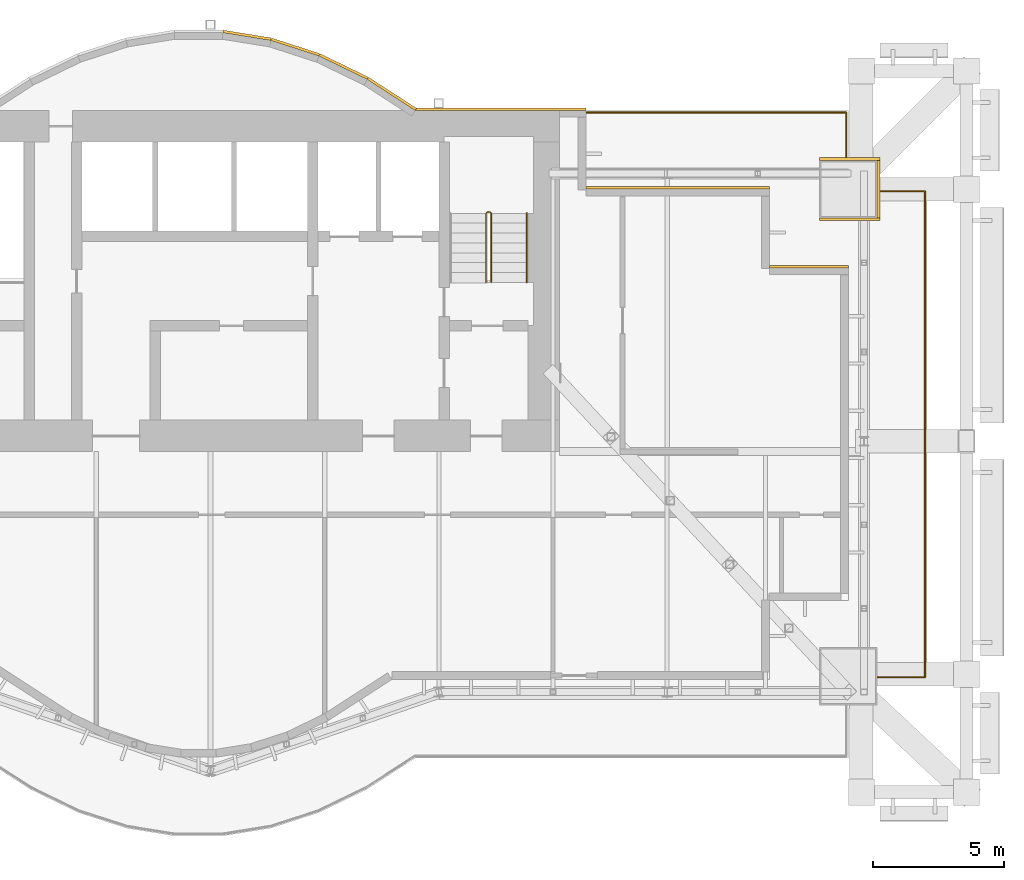
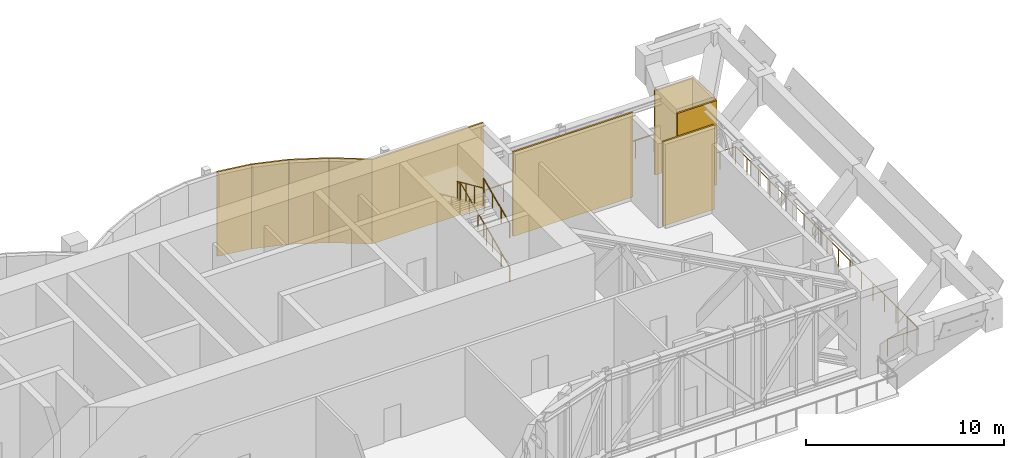
# One storey, part 20 of 20: 10 coverings, 5 railings.
"""IFC4 building model written with IfcOpenShell, lengths in metres."""

from ifc_helpers import new_model, si_unit, direction, frame, origin, origin_2d, place, context, subcontext, project, spatial, rectangle, circle, extrude, material, layer, layer_set, type_object, element, save


model = new_model("IFC4")

# Units and contexts
model_context = context("Model", 3, precision=1e-05, world=origin(), true_north=direction((0.0, 1.0)))
body_context = subcontext(model_context, "Body", "Model", "MODEL_VIEW")
ifc_project = project(units=[si_unit("LENGTHUNIT", "METRE"), si_unit("AREAUNIT", "SQUARE_METRE"), si_unit("VOLUMEUNIT", "CUBIC_METRE"), si_unit("PLANEANGLEUNIT", "RADIAN"), si_unit("MASSUNIT", "GRAM", prefix="KILO")], contexts=[model_context])

# Site, building, storey
site_placement = place(None, origin())
site = spatial("IfcSite", under=ifc_project, at=site_placement, CompositionType="ELEMENT")
building_placement = place(site_placement, origin())
building = spatial("IfcBuilding", under=site, at=building_placement, Name="Bicima Exchange Tower", CompositionType="ELEMENT")
storey_placement = place(building_placement, frame((0.0, 0.0, 342.5)))
storey = spatial("IfcBuildingStorey", under=building, at=storey_placement, Name="L77", CompositionType="ELEMENT", Elevation=342.5)

# Coverings
ifc_material_1 = material(Name="Bronze metal cladding")
ifc_layer_1 = layer(ifc_material_1, 0.004)
ifc_material_2 = material(Name="Ventilated cavity")
ifc_layer_2 = layer(ifc_material_2, 0.06)
ifc_material_3 = material(Name="Galvanised steel rail and mineral wool", Category="steel")
ifc_layer_3 = layer(ifc_material_3, 0.036)
ifc_layer_set = layer_set([ifc_layer_1, ifc_layer_2, ifc_layer_3], Name="Ventilated cavity")
covering_type = type_object("IfcCoveringType", Name="Bronze metal cladding panel 100", PredefinedType="CLADDING", material=ifc_layer_set)
covering_1_placement = place(storey_placement, frame((31.5, -5.949951171875, 0.0), z_axis=(0.0, 0.0, 1.0), x_axis=(-1.0, 0.0, 0.0)))
element("IfcCovering", 1, at=covering_1_placement, inside=storey, type_object=covering_type, Name="Bronze cladding L77 2.1", PredefinedType="CLADDING", context=body_context, shape_type="SweptSolid", body=[
    extrude(rectangle(XDim=3.0, YDim=0.10009765625, at=origin_2d()), origin(), (0.0, 0.0, 1.0), 5.199951171875),
])
covering_2_placement = place(storey_placement, frame((26.5, -2.949951171875, 0.0), z_axis=(0.0, 0.0, 1.0), x_axis=(-1.0, 0.0, 0.0)))
element("IfcCovering", 2, at=covering_2_placement, inside=storey, type_object=covering_type, Name="Bronze cladding L77 4.1", PredefinedType="CLADDING", context=body_context, shape_type="SweptSolid", body=[
    extrude(rectangle(XDim=7.0, YDim=0.10009765625, at=origin_2d()), origin(), (0.0, 0.0, 1.0), 5.199951171875),
])
covering_3_placement = place(storey_placement, frame((19.75, 0.050048828125, 0.0), z_axis=(0.0, 0.0, 1.0), x_axis=(-1.0, 0.0, 0.0)))
element("IfcCovering", 3, at=covering_3_placement, inside=storey, type_object=covering_type, Name="Bronze cladding L77 6.1", PredefinedType="CLADDING", context=body_context, shape_type="SweptSolid", body=[
    extrude(rectangle(XDim=6.5, YDim=0.10009765625, at=origin_2d()), origin(), (0.0, 0.0, 1.0), 5.199951171875),
])
covering_4_placement = place(storey_placement, frame((15.610595703125, 0.634521484375, 0.0), z_axis=(0.0, 0.0, 1.0), x_axis=(-0.839790466384, 0.542910648791, 0.0)))
element("IfcCovering", 4, at=covering_4_placement, inside=storey, type_object=covering_type, Name="Bronze cladding L77 7.1", PredefinedType="CLADDING", context=body_context, shape_type="SweptSolid", body=[
    extrude(rectangle(XDim=2.18310546875, YDim=0.10009765625, at=origin_2d()), origin(), (0.0, 0.0, 1.0), 5.199951171875),
])
covering_5_placement = place(storey_placement, frame((13.771728515625, 1.674560546875, 0.0), z_axis=(0.0, 0.0, 1.0), x_axis=(-0.899818346812, 0.436264762204, 0.0)))
element("IfcCovering", 5, at=covering_5_placement, inside=storey, type_object=covering_type, Name="Bronze cladding L77 8.1", PredefinedType="CLADDING", context=body_context, shape_type="SweptSolid", body=[
    extrude(rectangle(XDim=2.03759765625, YDim=0.10009765625, at=origin_2d()), origin(), (0.0, 0.0, 1.0), 5.199951171875),
])
covering_6_placement = place(storey_placement, frame((11.931884765625, 2.41796875, 0.0), z_axis=(0.0, 0.0, 1.0), x_axis=(-0.951524642381, 0.307572519808, 0.0)))
element("IfcCovering", 6, at=covering_6_placement, inside=storey, type_object=covering_type, Name="Bronze cladding L77 9.1", PredefinedType="CLADDING", context=body_context, shape_type="SweptSolid", body=[
    extrude(rectangle(XDim=1.9267578125, YDim=0.10009765625, at=origin_2d()), origin(), (0.0, 0.0, 1.0), 5.199951171875),
])
covering_7_placement = place(storey_placement, frame((10.09130859375, 2.8642578125, 0.0), z_axis=(0.0, 0.0, 1.0), x_axis=(-0.987189786347, 0.159550386184, 0.0)))
element("IfcCovering", 7, at=covering_7_placement, inside=storey, type_object=covering_type, Name="Bronze cladding L77 10.1", PredefinedType="CLADDING", context=body_context, shape_type="SweptSolid", body=[
    extrude(rectangle(XDim=1.857177734375, YDim=0.10009765625, at=origin_2d()), origin(), (0.0, 0.0, 1.0), 5.199951171875),
])
for number, where, z_axis, x_axis, name in (
    (8, (33.050048828125, -1.85009765625, 0.0), (0.0, 0.0, 1.0), (1.0, 0.0, 0.0), "Column cladding L77 2N"),
    (9, (33.050048828125, -4.14990234375, 0.0), (0.0, 0.0, 1.0), (1.0, 0.0, 0.0), "Column cladding L77 2S"),
):
    element("IfcCovering", number, at=place(storey_placement, frame(where, z_axis=z_axis, x_axis=x_axis)), inside=storey, type_object=covering_type, Name=name, PredefinedType="CLADDING", context=body_context, shape_type="SweptSolid", body=[
        extrude(rectangle(XDim=2.300048828125, YDim=0.10009765625, at=origin_2d()), origin(), (0.0, 0.0, 1.0), 5.199951171875),
    ])
covering_8_placement = place(storey_placement, frame((34.14990234375, -3.0, 0.0), z_axis=(0.0, 0.0, 1.0), x_axis=(1.0, 0.0, 0.0)))
element("IfcCovering", 10, at=covering_8_placement, inside=storey, type_object=covering_type, Name="Column cladding L77 2O", PredefinedType="CLADDING", context=body_context, shape_type="SweptSolid", body=[
    extrude(rectangle(XDim=0.10009765625, YDim=2.199951171875, at=origin_2d()), origin(), (0.0, 0.0, 1.0), 5.199951171875),
])

# Railings
ifc_material_4 = material(Name="Stainless steel", Category="steel")
railing_type_1 = type_object("IfcRailingType", Name="Stair guard 1100", PredefinedType="GUARDRAIL", material=ifc_material_4)
railing_1_placement = place(storey_placement, frame((19.39990234375, -6.550048828125, 2.86865234375)))
element("IfcRailing", 11, at=railing_1_placement, inside=storey, type_object=railing_type_1, Name="L77 ST-E stair guard 2", PredefinedType="GUARDRAIL", context=body_context, shape_type="SweptSolid", body=[
    extrude(circle(Radius=0.02392578125, at=origin_2d()), frame((0.0, 0.0, 1.076171875), z_axis=(0.0, 0.912201722539, 0.409741403079), x_axis=(-1.0, 0.0, 0.0)), (0.0, 0.0, 1.0), 2.88330078125),
    extrude(circle(Radius=0.02392578125, at=origin_2d()), frame((0.0, 2.630126953125, 2.25732421875), z_axis=(-0.707106781187, 0.707106781187, 0.0), x_axis=(-0.707106781187, -0.707106781187, 0.0)), (0.0, 0.0, 1.0), 0.0703125),
    extrude(circle(Radius=0.02392578125, at=origin_2d()), frame((-0.0498046875, 2.679931640625, 2.25732421875), z_axis=(-1.0, 0.0, 0.0), x_axis=(0.0, -1.0, 0.0)), (0.0, 0.0, 1.0), 0.10009765625),
    extrude(circle(Radius=0.02392578125, at=origin_2d()), frame((-0.14990234375, 2.679931640625, 2.25732421875), z_axis=(-0.273668752699, -0.272333783174, 0.922463942026), x_axis=(0.705375805398, -0.708833529934, 0.0)), (0.0, 0.0, 1.0), 0.182861328125),
    extrude(circle(Radius=0.02392578125, at=origin_2d()), frame((-0.199951171875, 2.630126953125, 2.42626953125), z_axis=(0.0, -0.912233369549, 0.409670940488), x_axis=(1.0, 0.0, 0.0)), (0.0, 0.0, 1.0), 2.883056640625),
    extrude(circle(Radius=0.02099609375, at=origin_2d()), origin(), (0.0, 0.0, 1.0), 1.052001953125),
    extrude(circle(Radius=0.02099609375, at=origin_2d()), frame((0.0, 0.876708984375, 0.393798828125)), (0.0, 0.0, 1.0), 1.052001953125),
    extrude(circle(Radius=0.02099609375, at=origin_2d()), frame((0.0, 1.75341796875, 0.78759765625)), (0.0, 0.0, 1.0), 1.052001953125),
    extrude(circle(Radius=0.02099609375, at=origin_2d()), frame((0.0, 2.630126953125, 1.181396484375)), (0.0, 0.0, 1.0), 1.052001953125),
    extrude(circle(Radius=0.02099609375, at=origin_2d()), frame((-0.0498046875, 2.679931640625, 1.181396484375)), (0.0, 0.0, 1.0), 1.052001953125),
    extrude(circle(Radius=0.02099609375, at=origin_2d()), frame((-0.14990234375, 2.679931640625, 1.181396484375)), (0.0, 0.0, 1.0), 1.052001953125),
    extrude(circle(Radius=0.02099609375, at=origin_2d()), frame((-0.199951171875, 2.630126953125, 1.35009765625)), (0.0, 0.0, 1.0), 1.052001953125),
    extrude(circle(Radius=0.02099609375, at=origin_2d()), frame((-0.199951171875, 1.75341796875, 1.743896484375)), (0.0, 0.0, 1.0), 1.052001953125),
    extrude(circle(Radius=0.02099609375, at=origin_2d()), frame((-0.199951171875, 0.876708984375, 2.137451171875)), (0.0, 0.0, 1.0), 1.052001953125),
    extrude(circle(Radius=0.02099609375, at=origin_2d()), frame((-0.199951171875, 0.0, 2.53125)), (0.0, 0.0, 1.0), 1.052001953125),
])
railing_type_2 = type_object("IfcRailingType", Name="Stair handrail 900", PredefinedType="HANDRAIL", material=ifc_material_4)
for number, where, name in (
    (12, (20.75, -6.550048828125, 0.168701171875), "L77 ST-E stair handrail 1"),
    (13, (20.75, -6.550048828125, 2.86865234375), "L77 ST-E stair handrail 3"),
):
    element("IfcRailing", number, at=place(storey_placement, frame(where)), inside=storey, type_object=railing_type_2, Name=name, PredefinedType="HANDRAIL", context=body_context, shape_type="SweptSolid", body=[
        extrude(circle(Radius=0.02392578125, at=origin_2d()), frame((0.0, 0.0, 0.8759765625), z_axis=(0.0, 0.912201722539, 0.409741403079), x_axis=(-1.0, 0.0, 0.0)), (0.0, 0.0, 1.0), 2.88330078125),
        extrude(circle(Radius=0.02099609375, at=origin_2d()), origin(), (0.0, 0.0, 1.0), 0.851806640625),
        extrude(circle(Radius=0.02099609375, at=origin_2d()), frame((0.0, 0.876708984375, 0.393798828125)), (0.0, 0.0, 1.0), 0.851806640625),
        extrude(circle(Radius=0.02099609375, at=origin_2d()), frame((0.0, 1.75341796875, 0.78759765625)), (0.0, 0.0, 1.0), 0.851806640625),
        extrude(circle(Radius=0.02099609375, at=origin_2d()), frame((0.0, 2.630126953125, 1.181396484375)), (0.0, 0.0, 1.0), 0.851806640625),
    ])
ifc_material_5 = material(Name="Stainless steel and bonded safety glass", Category="steel")
railing_type_3 = type_object("IfcRailingType", Name="Terrace guard 1100", PredefinedType="GUARDRAIL", material=ifc_material_5)
railing_2_placement = place(storey_placement, frame((23.02001953125, -0.080078125, 0.0)))
element("IfcRailing", 14, at=railing_2_placement, inside=storey, type_object=railing_type_3, Name="Terrace guard L77 3", PredefinedType="GUARDRAIL", context=body_context, shape_type="SweptSolid", body=[
    extrude(circle(Radius=0.02392578125, at=origin_2d()), frame((0.0, 0.0, 1.076171875), z_axis=(1.0, 0.0, 0.0), x_axis=(0.0, 1.0, 0.0)), (0.0, 0.0, 1.0), 9.89990234375),
    extrude(circle(Radius=0.02392578125, at=origin_2d()), frame((9.89990234375, 0.0, 1.076171875), z_axis=(0.0, -1.0, 0.0), x_axis=(1.0, 0.0, 0.0)), (0.0, 0.0, 1.0), 1.81982421875),
    extrude(circle(Radius=0.02099609375, at=origin_2d()), origin(), (0.0, 0.0, 1.0), 1.052001953125),
    extrude(circle(Radius=0.02099609375, at=origin_2d()), frame((1.10009765625, 0.0, 0.0)), (0.0, 0.0, 1.0), 1.052001953125),
    extrude(circle(Radius=0.02099609375, at=origin_2d()), frame((2.199951171875, 0.0, 0.0)), (0.0, 0.0, 1.0), 1.052001953125),
    extrude(circle(Radius=0.02099609375, at=origin_2d()), frame((3.300048828125, 0.0, 0.0)), (0.0, 0.0, 1.0), 1.052001953125),
    extrude(circle(Radius=0.02099609375, at=origin_2d()), frame((4.39990234375, 0.0, 0.0)), (0.0, 0.0, 1.0), 1.052001953125),
    extrude(circle(Radius=0.02099609375, at=origin_2d()), frame((5.5, 0.0, 0.0)), (0.0, 0.0, 1.0), 1.052001953125),
    extrude(circle(Radius=0.02099609375, at=origin_2d()), frame((6.599853515625, 0.0, 0.0)), (0.0, 0.0, 1.0), 1.052001953125),
    extrude(circle(Radius=0.02099609375, at=origin_2d()), frame((7.699951171875, 0.0, 0.0)), (0.0, 0.0, 1.0), 1.052001953125),
    extrude(circle(Radius=0.02099609375, at=origin_2d()), frame((8.7998046875, 0.0, 0.0)), (0.0, 0.0, 1.0), 1.052001953125),
    extrude(circle(Radius=0.02099609375, at=origin_2d()), frame((9.89990234375, 0.0, 0.0)), (0.0, 0.0, 1.0), 1.052001953125),
    extrude(circle(Radius=0.02099609375, at=origin_2d()), frame((9.89990234375, -0.909912109375, 0.0)), (0.0, 0.0, 1.0), 1.052001953125),
    extrude(circle(Radius=0.02099609375, at=origin_2d()), frame((9.89990234375, -1.81982421875, 0.0)), (0.0, 0.0, 1.0), 1.052001953125),
])
railing_3_placement = place(storey_placement, frame((34.10009765625, -3.080078125, 0.0)))
element("IfcRailing", 15, at=railing_3_placement, inside=storey, type_object=railing_type_3, Name="Terrace guard L77 4", PredefinedType="GUARDRAIL", context=body_context, shape_type="SweptSolid", body=[
    extrude(circle(Radius=0.02392578125, at=origin_2d()), frame((0.0, 0.0, 1.076171875), z_axis=(1.0, 0.0, 0.0), x_axis=(0.0, 1.0, 0.0)), (0.0, 0.0, 1.0), 1.81982421875),
    extrude(circle(Radius=0.02392578125, at=origin_2d()), frame((1.81982421875, 0.0, 1.076171875), z_axis=(0.0, -1.0, 0.0), x_axis=(1.0, 0.0, 0.0)), (0.0, 0.0, 1.0), 18.515869140625),
    extrude(circle(Radius=0.02392578125, at=origin_2d()), frame((1.81982421875, -18.515869140625, 1.076171875), z_axis=(-1.0, 0.0, 0.0), x_axis=(0.0, -1.0, 0.0)), (0.0, 0.0, 1.0), 1.81982421875),
    extrude(circle(Radius=0.02099609375, at=origin_2d()), origin(), (0.0, 0.0, 1.0), 1.052001953125),
    extrude(circle(Radius=0.02099609375, at=origin_2d()), frame((0.909912109375, 0.0, 0.0)), (0.0, 0.0, 1.0), 1.052001953125),
    extrude(circle(Radius=0.02099609375, at=origin_2d()), frame((1.81982421875, 0.0, 0.0)), (0.0, 0.0, 1.0), 1.052001953125),
    extrude(circle(Radius=0.02099609375, at=origin_2d()), frame((1.81982421875, -1.1572265625, 0.0)), (0.0, 0.0, 1.0), 1.052001953125),
    extrude(circle(Radius=0.02099609375, at=origin_2d()), frame((1.81982421875, -2.314453125, 0.0)), (0.0, 0.0, 1.0), 1.052001953125),
    extrude(circle(Radius=0.02099609375, at=origin_2d()), frame((1.81982421875, -3.4716796875, 0.0)), (0.0, 0.0, 1.0), 1.052001953125),
    extrude(circle(Radius=0.02099609375, at=origin_2d()), frame((1.81982421875, -4.62890625, 0.0)), (0.0, 0.0, 1.0), 1.052001953125),
    extrude(circle(Radius=0.02099609375, at=origin_2d()), frame((1.81982421875, -5.7861328125, 0.0)), (0.0, 0.0, 1.0), 1.052001953125),
    extrude(circle(Radius=0.02099609375, at=origin_2d()), frame((1.81982421875, -6.943359375, 0.0)), (0.0, 0.0, 1.0), 1.052001953125),
    extrude(circle(Radius=0.02099609375, at=origin_2d()), frame((1.81982421875, -8.1005859375, 0.0)), (0.0, 0.0, 1.0), 1.052001953125),
    extrude(circle(Radius=0.02099609375, at=origin_2d()), frame((1.81982421875, -9.2578125, 0.0)), (0.0, 0.0, 1.0), 1.052001953125),
    extrude(circle(Radius=0.02099609375, at=origin_2d()), frame((1.81982421875, -10.415283203125, 0.0)), (0.0, 0.0, 1.0), 1.052001953125),
    extrude(circle(Radius=0.02099609375, at=origin_2d()), frame((1.81982421875, -11.572509765625, 0.0)), (0.0, 0.0, 1.0), 1.052001953125),
    extrude(circle(Radius=0.02099609375, at=origin_2d()), frame((1.81982421875, -12.729736328125, 0.0)), (0.0, 0.0, 1.0), 1.052001953125),
    extrude(circle(Radius=0.02099609375, at=origin_2d()), frame((1.81982421875, -13.886962890625, 0.0)), (0.0, 0.0, 1.0), 1.052001953125),
    extrude(circle(Radius=0.02099609375, at=origin_2d()), frame((1.81982421875, -15.044189453125, 0.0)), (0.0, 0.0, 1.0), 1.052001953125),
    extrude(circle(Radius=0.02099609375, at=origin_2d()), frame((1.81982421875, -16.201416015625, 0.0)), (0.0, 0.0, 1.0), 1.052001953125),
    extrude(circle(Radius=0.02099609375, at=origin_2d()), frame((1.81982421875, -17.358642578125, 0.0)), (0.0, 0.0, 1.0), 1.052001953125),
    extrude(circle(Radius=0.02099609375, at=origin_2d()), frame((1.81982421875, -18.515869140625, 0.0)), (0.0, 0.0, 1.0), 1.052001953125),
    extrude(circle(Radius=0.02099609375, at=origin_2d()), frame((0.909912109375, -18.515869140625, 0.0)), (0.0, 0.0, 1.0), 1.052001953125),
    extrude(circle(Radius=0.02099609375, at=origin_2d()), frame((0.0, -18.515869140625, 0.0)), (0.0, 0.0, 1.0), 1.052001953125),
])

save(model, "model.ifc")
